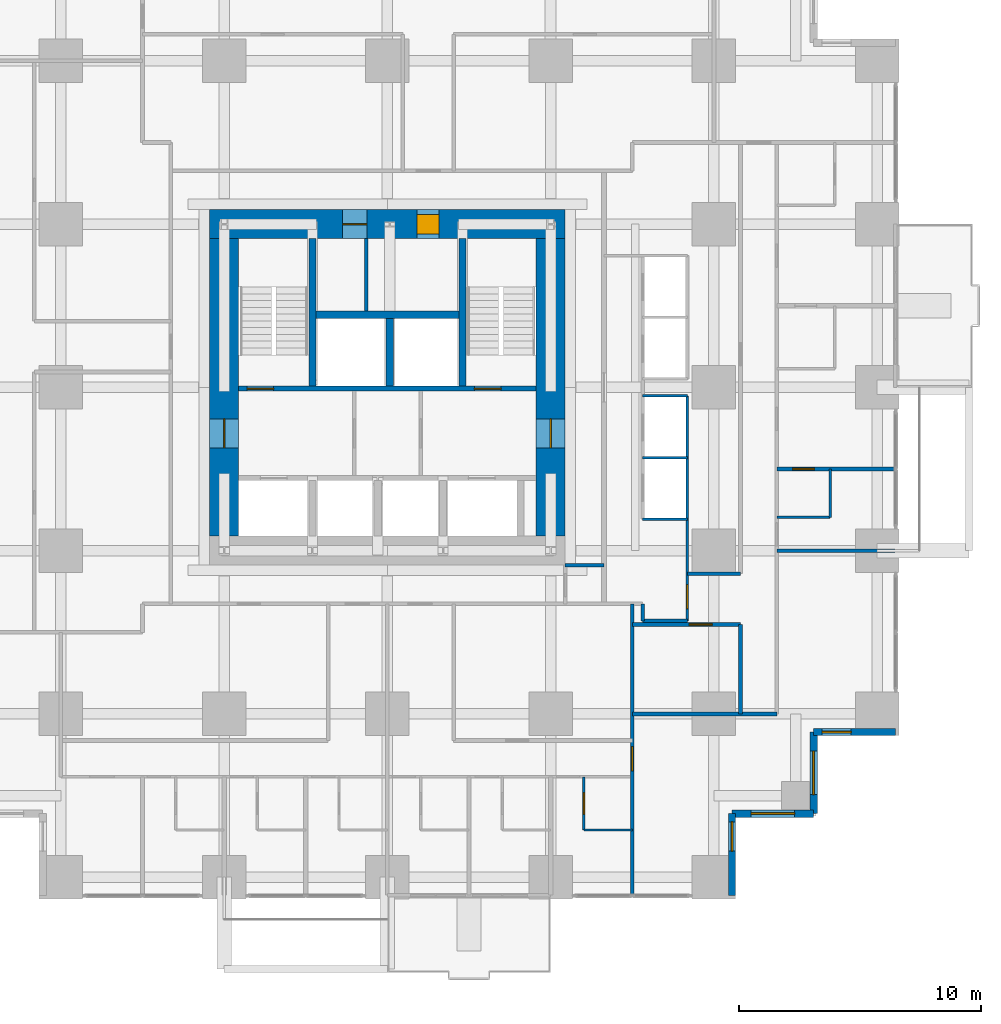
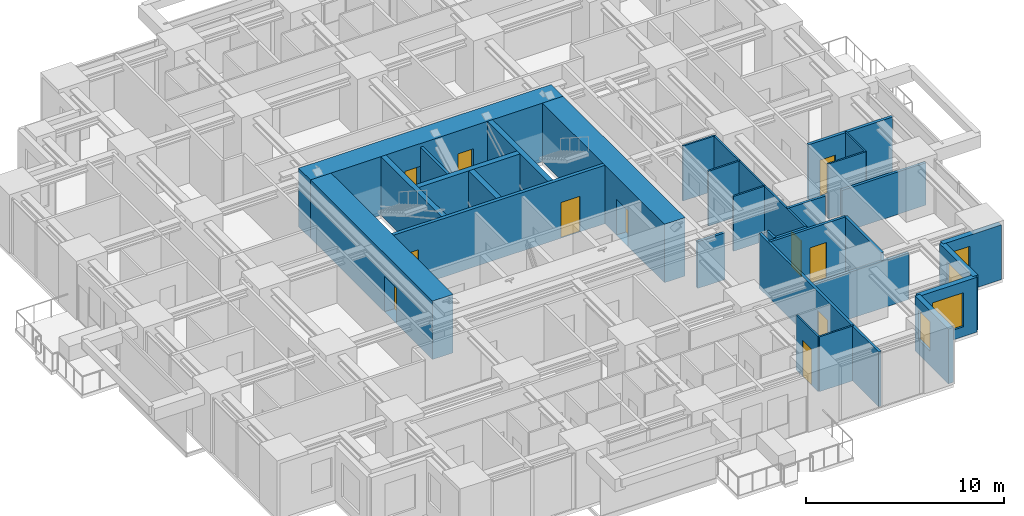
# One storey, part 10 of 14: 31 walls, 11 doors, 4 windows, 15 openings.
"""IFC4 building model written with IfcOpenShell, lengths in metres."""

from ifc_helpers import new_model, si_unit, direction, frame, frame_2d, origin, place, context, subcontext, project, spatial, rectangle, extrude, material, layer, layer_set, type_object, element, fill, save


model = new_model("IFC4")

# Units and contexts
model_context = context("Model", 3, precision=1e-05, world=origin(), true_north=direction((0.0, 1.0)))
body_context = subcontext(model_context, "Body", "Model", "MODEL_VIEW")
ifc_project = project(units=[si_unit("LENGTHUNIT", "METRE"), si_unit("AREAUNIT", "SQUARE_METRE"), si_unit("VOLUMEUNIT", "CUBIC_METRE"), si_unit("PLANEANGLEUNIT", "RADIAN"), si_unit("MASSUNIT", "GRAM", prefix="KILO")], contexts=[model_context])

# Site, building, storey
site_placement = place(None, origin())
site = spatial("IfcSite", under=ifc_project, at=site_placement, CompositionType="ELEMENT")
building_placement = place(site_placement, origin())
building = spatial("IfcBuilding", under=site, at=building_placement, Name="Nyansa Garden Tower", CompositionType="ELEMENT")
storey_placement = place(building_placement, frame((0.0, 0.0, 64.800048828125)))
storey = spatial("IfcBuildingStorey", under=building, at=storey_placement, Name="L17", CompositionType="ELEMENT", Elevation=64.800048828125)

# Wall, opening, door
ifc_material_1 = material(Name="Dense blockwork, plastered both sides, 55 dB", Category="masonry")
ifc_layer_1 = layer(ifc_material_1, 0.175048828125)
ifc_layer_set_1 = layer_set([ifc_layer_1], Name="Acoustic party wall PW175")
wall_type_1 = type_object("IfcWallType", Name="Acoustic party wall PW175", PredefinedType="PARTITIONING", material=ifc_layer_set_1)
wall_1_placement = place(storey_placement, frame((36.35009765625, 16.875, 0.0), z_axis=(0.0, 0.0, 1.0), x_axis=(1.0, 0.0, 0.0)))
wall_1 = element("IfcWall", 1, at=wall_1_placement, inside=storey, type_object=wall_type_1, Name="Party wall", PredefinedType="PARTITIONING", context=body_context, shape_type="SweptSolid", body=[
    extrude(rectangle(XDim=4.8837890625, YDim=0.175048828125, at=frame_2d((2.44189453125, 0.0))), origin(), (0.0, 0.0, 1.0), 3.375),
])
opening_1_placement = place(wall_1_placement, frame((0.64990234375, 0.0, 0.0)))
opening_1 = element("IfcOpeningElement", 2, at=opening_1_placement, cuts=wall_1, Name="Opening D02", PredefinedType="OPENING", context=body_context, shape_type="SweptSolid", body=[
    extrude(rectangle(XDim=0.89990234375, YDim=2.199951171875, at=frame_2d((0.449951171875, 1.10009765625))), frame((0.0, 0.097412109375, 0.0), z_axis=(0.0, -1.0, 0.0), x_axis=(1.0, 0.0, 0.0)), (0.0, 0.0, 1.0), 0.195068359375),
])
ifc_material_2 = material(Name="Timber flush door", Category="wood")
door_type_1 = type_object("IfcDoorType", Name="En-suite door D02 900x2200", OperationType="SINGLE_SWING_RIGHT", PredefinedType="DOOR", material=ifc_material_2)
door_1_placement = place(opening_1_placement, origin())
door_1 = element("IfcDoor", 3, at=door_1_placement, inside=storey, type_object=door_type_1, Name="Door L17-040", OperationType="SINGLE_SWING_RIGHT", OverallHeight=2.199951171875, OverallWidth=0.89990234375, PredefinedType="DOOR", context=body_context, shape_type="SweptSolid", body=[
    extrude(rectangle(XDim=0.89990234375, YDim=2.199951171875, at=frame_2d((0.449951171875, 1.10009765625))), frame((0.0, 0.02490234375, 0.0), z_axis=(0.0, -1.0, 0.0), x_axis=(1.0, 0.0, 0.0)), (0.0, 0.0, 1.0), 0.050048828125),
])
fill(opening_1, door_1)

# Wall, openings, doors
ifc_material_3 = material(Name="Concrete C70/85", Category="concrete")
ifc_layer_2 = layer(ifc_material_3, 0.199951171875)
ifc_layer_set_2 = layer_set([ifc_layer_2], Name="Core inner wall CI200")
wall_type_2 = type_object("IfcWallType", Name="Core inner wall CI200", PredefinedType="SHEAR", material=ifc_layer_set_2)
wall_2_placement = place(storey_placement, frame((14.10009765625, 20.199951171875, 0.0), z_axis=(0.0, 0.0, 1.0), x_axis=(1.0, 0.0, 0.0)))
wall_2 = element("IfcWall", 4, at=wall_2_placement, inside=storey, type_object=wall_type_2, Name="Core inner wall L17", PredefinedType="SHEAR", context=body_context, shape_type="SweptSolid", body=[
    extrude(rectangle(XDim=12.2998046875, YDim=0.199951171875, at=frame_2d((6.14990234375, 0.0))), origin(), (0.0, 0.0, 1.0), 3.599853515625),
])
opening_2_placement = place(wall_2_placement, frame((0.35009765625, 0.0, 0.0)))
opening_2 = element("IfcOpeningElement", 5, at=opening_2_placement, cuts=wall_2, Name="Opening D05", PredefinedType="OPENING", context=body_context, shape_type="SweptSolid", body=[
    extrude(rectangle(XDim=1.10009765625, YDim=2.199951171875, at=frame_2d((0.550048828125, 1.10009765625))), frame((0.0, 0.10986328125, 0.0), z_axis=(0.0, -1.0, 0.0), x_axis=(1.0, 0.0, 0.0)), (0.0, 0.0, 1.0), 0.219970703125),
])
opening_3_placement = place(wall_2_placement, frame((9.75, 0.0, 0.0)))
opening_3 = element("IfcOpeningElement", 6, at=opening_3_placement, cuts=wall_2, Name="Opening D05", PredefinedType="OPENING", context=body_context, shape_type="SweptSolid", body=[
    extrude(rectangle(XDim=1.10009765625, YDim=2.199951171875, at=frame_2d((0.550048828125, 1.10009765625))), frame((0.0, 0.10986328125, 0.0), z_axis=(0.0, -1.0, 0.0), x_axis=(1.0, 0.0, 0.0)), (0.0, 0.0, 1.0), 0.219970703125),
])
ifc_material_4 = material(Name="Steel door, 120 minute fire resisting", Category="steel")
door_type_2 = type_object("IfcDoorType", Name="Stair door D05 1100x2200", OperationType="SINGLE_SWING_LEFT", PredefinedType="DOOR", material=ifc_material_4)
door_2_placement = place(opening_2_placement, origin())
door_2 = element("IfcDoor", 7, at=door_2_placement, inside=storey, type_object=door_type_2, Name="Stair S1 door", OperationType="SINGLE_SWING_LEFT", OverallHeight=2.199951171875, OverallWidth=1.10009765625, PredefinedType="DOOR", context=body_context, shape_type="SweptSolid", body=[
    extrude(rectangle(XDim=1.10009765625, YDim=2.199951171875, at=frame_2d((0.550048828125, 1.10009765625))), frame((0.0, 0.02490234375, 0.0), z_axis=(0.0, -1.0, 0.0), x_axis=(1.0, 0.0, 0.0)), (0.0, 0.0, 1.0), 0.050048828125),
])
fill(opening_2, door_2)
door_3_placement = place(opening_3_placement, origin())
door_3 = element("IfcDoor", 8, at=door_3_placement, inside=storey, type_object=door_type_2, Name="Stair S2 door", OperationType="SINGLE_SWING_LEFT", OverallHeight=2.199951171875, OverallWidth=1.10009765625, PredefinedType="DOOR", context=body_context, shape_type="SweptSolid", body=[
    extrude(rectangle(XDim=1.10009765625, YDim=2.199951171875, at=frame_2d((0.550048828125, 1.10009765625))), frame((0.0, 0.02490234375, 0.0), z_axis=(0.0, -1.0, 0.0), x_axis=(1.0, 0.0, 0.0)), (0.0, 0.0, 1.0), 0.050048828125),
])
fill(opening_3, door_3)

# Walls
ifc_material_5 = material(Name="Concrete C70/85", Category="concrete")
ifc_layer_3 = layer(ifc_material_5, 0.300048828125)
ifc_layer_set_3 = layer_set([ifc_layer_3], Name="Core inner wall CI300")
wall_type_3 = type_object("IfcWallType", Name="Core inner wall CI300", PredefinedType="SHEAR", material=ifc_layer_set_3)
for number, where, z_axis, x_axis, name in (
    (9, (17.14990234375, 20.300048828125, 0.0), (0.0, 0.0, 1.0), (0.0, 1.0, 0.0), "Core inner wall L17"),
    (10, (23.35009765625, 20.300048828125, 0.0), (0.0, 0.0, 1.0), (0.0, 1.0, 0.0), "Core inner wall L17"),
):
    element("IfcWall", number, at=place(storey_placement, frame(where, z_axis=z_axis, x_axis=x_axis)), inside=storey, type_object=wall_type_3, Name=name, PredefinedType="SHEAR", context=body_context, shape_type="SweptSolid", body=[
        extrude(rectangle(XDim=6.099853515625, YDim=0.300048828125, at=frame_2d((3.0498046875, 0.0))), origin(), (0.0, 0.0, 1.0), 3.599853515625),
    ])
wall_3_placement = place(storey_placement, frame((20.35009765625, 20.300048828125, 0.0), z_axis=(0.0, 0.0, 1.0), x_axis=(0.0, 1.0, 0.0)))
element("IfcWall", 11, at=wall_3_placement, inside=storey, type_object=wall_type_3, Name="Core inner wall L17", PredefinedType="SHEAR", context=body_context, shape_type="SweptSolid", body=[
    extrude(rectangle(XDim=2.800048828125, YDim=0.300048828125, at=frame_2d((1.39990234375, 0.0))), origin(), (0.0, 0.0, 1.0), 3.599853515625),
])
wall_4_placement = place(storey_placement, frame((17.300048828125, 23.25, 0.0), z_axis=(0.0, 0.0, 1.0), x_axis=(1.0, 0.0, 0.0)))
element("IfcWall", 12, at=wall_4_placement, inside=storey, type_object=wall_type_3, Name="Core inner wall L17", PredefinedType="SHEAR", context=body_context, shape_type="SweptSolid", body=[
    extrude(rectangle(XDim=5.89990234375, YDim=0.300048828125, at=frame_2d((2.949951171875, 0.0))), origin(), (0.0, 0.0, 1.0), 3.599853515625),
])

# Wall, opening, door
ifc_material_6 = material(Name="Concrete C80/95", Category="concrete")
ifc_layer_4 = layer(ifc_material_6, 1.199951171875)
ifc_layer_set_4 = layer_set([ifc_layer_4], Name="Core wall CW1200")
wall_type_4 = type_object("IfcWallType", Name="Core wall CW1200", PredefinedType="SHEAR", material=ifc_layer_set_4)
wall_5_placement = place(storey_placement, frame((27.0, 14.10009765625, 0.0), z_axis=(0.0, 0.0, 1.0), x_axis=(0.0, 1.0, 0.0)))
wall_5 = element("IfcWall", 13, at=wall_5_placement, inside=storey, type_object=wall_type_4, Name="Core wall E L17", PredefinedType="SHEAR", context=body_context, shape_type="SweptSolid", body=[
    extrude(rectangle(XDim=12.2998046875, YDim=1.199951171875, at=frame_2d((6.14990234375, 0.0))), origin(), (0.0, 0.0, 1.0), 3.599853515625),
])
opening_4_placement = place(wall_5_placement, frame((3.64990234375, 0.0, 0.0)))
opening_4 = element("IfcOpeningElement", 14, at=opening_4_placement, cuts=wall_5, Name="Opening D06", PredefinedType="OPENING", context=body_context, shape_type="SweptSolid", body=[
    extrude(rectangle(XDim=1.199951171875, YDim=2.199951171875, at=frame_2d((0.60009765625, 1.10009765625))), frame((0.0, 0.60986328125, 0.0), z_axis=(0.0, -1.0, 0.0), x_axis=(1.0, 0.0, 0.0)), (0.0, 0.0, 1.0), 1.219970703125),
])
ifc_material_7 = material(Name="Steel door, 120 minute fire resisting", Category="steel")
door_type_3 = type_object("IfcDoorType", Name="Lobby door D06 1200x2200", OperationType="DOUBLE_DOOR_SINGLE_SWING", PredefinedType="DOOR", material=ifc_material_7)
door_4_placement = place(opening_4_placement, origin())
door_4 = element("IfcDoor", 15, at=door_4_placement, inside=storey, type_object=door_type_3, Name="Lift lobby door east", OperationType="DOUBLE_DOOR_SINGLE_SWING", OverallHeight=2.199951171875, OverallWidth=1.199951171875, PredefinedType="DOOR", context=body_context, shape_type="SweptSolid", body=[
    extrude(rectangle(XDim=1.199951171875, YDim=2.199951171875, at=frame_2d((0.60009765625, 1.10009765625))), frame((0.0, 0.02490234375, 0.0), z_axis=(0.0, -1.0, 0.0), x_axis=(1.0, 0.0, 0.0)), (0.0, 0.0, 1.0), 0.050048828125),
])
fill(opening_4, door_4)

# Wall, openings, doors
wall_6_placement = place(storey_placement, frame((27.60009765625, 27.0, 0.0), z_axis=(0.0, 0.0, 1.0), x_axis=(-1.0, 0.0, 0.0)))
wall_6 = element("IfcWall", 16, at=wall_6_placement, inside=storey, type_object=wall_type_4, Name="Core wall N L17", PredefinedType="SHEAR", context=body_context, shape_type="SweptSolid", body=[
    extrude(rectangle(XDim=14.7001953125, YDim=1.199951171875, at=frame_2d((7.35009765625, 0.0))), origin(), (0.0, 0.0, 1.0), 3.599853515625),
])
opening_5_placement = place(wall_6_placement, frame((5.22509765625, 0.0, 0.0)))
opening_5 = element("IfcOpeningElement", 17, at=opening_5_placement, cuts=wall_6, Name="Opening D15", PredefinedType="OPENING", context=body_context, shape_type="SweptSolid", body=[
    extrude(rectangle(XDim=0.89990234375, YDim=2.199951171875, at=frame_2d((0.449951171875, 1.10009765625))), frame((0.0, 0.60986328125, 0.0), z_axis=(0.0, -1.0, 0.0), x_axis=(1.0, 0.0, 0.0)), (0.0, 0.0, 1.0), 1.219970703125),
])
opening_6_placement = place(wall_6_placement, frame((8.199951171875, 0.0, 0.0)))
opening_6 = element("IfcOpeningElement", 18, at=opening_6_placement, cuts=wall_6, Name="Opening D07", PredefinedType="OPENING", context=body_context, shape_type="SweptSolid", body=[
    extrude(rectangle(XDim=1.0, YDim=2.199951171875, at=frame_2d((0.5, 1.10009765625))), frame((0.0, 0.60986328125, 0.0), z_axis=(0.0, -1.0, 0.0), x_axis=(1.0, 0.0, 0.0)), (0.0, 0.0, 1.0), 1.219970703125),
])
ifc_material_8 = material(Name="Timber flush door, 60 minute fire resisting, self-closing", Category="wood")
door_type_4 = type_object("IfcDoorType", Name="Core room door D15 900x2200", OperationType="SINGLE_SWING_LEFT", PredefinedType="DOOR", material=ifc_material_8)
door_5_placement = place(opening_5_placement, origin())
door_5 = element("IfcDoor", 19, at=door_5_placement, inside=storey, type_object=door_type_4, Name="Core room door", OperationType="SINGLE_SWING_LEFT", OverallHeight=2.199951171875, OverallWidth=0.89990234375, PredefinedType="DOOR", context=body_context, shape_type="SweptSolid", body=[
    extrude(rectangle(XDim=0.89990234375, YDim=2.199951171875, at=frame_2d((0.449951171875, 1.10009765625))), frame((0.0, 0.39990234375, 0.0), z_axis=(0.0, -1.0, 0.0), x_axis=(1.0, 0.0, 0.0)), (0.0, 0.0, 1.0), 0.800048828125),
])
fill(opening_5, door_5)
ifc_material_9 = material(Name="Steel door, 120 minute fire resisting", Category="steel")
door_type_5 = type_object("IfcDoorType", Name="Riser door D07 1000x2200", OperationType="SINGLE_SWING_LEFT", PredefinedType="DOOR", material=ifc_material_9)
door_6_placement = place(opening_6_placement, origin())
door_6 = element("IfcDoor", 20, at=door_6_placement, inside=storey, type_object=door_type_5, Name="Riser and refuse room door", OperationType="SINGLE_SWING_LEFT", OverallHeight=2.199951171875, OverallWidth=1.0, PredefinedType="DOOR", context=body_context, shape_type="SweptSolid", body=[
    extrude(rectangle(XDim=1.0, YDim=2.199951171875, at=frame_2d((0.5, 1.10009765625))), frame((0.0, 0.02490234375, 0.0), z_axis=(0.0, -1.0, 0.0), x_axis=(1.0, 0.0, 0.0)), (0.0, 0.0, 1.0), 0.050048828125),
])
fill(opening_6, door_6)

# Wall, opening, door
wall_7_placement = place(storey_placement, frame((13.5, 26.39990234375, 0.0), z_axis=(0.0, 0.0, 1.0), x_axis=(0.0, -1.0, 0.0)))
wall_7 = element("IfcWall", 21, at=wall_7_placement, inside=storey, type_object=wall_type_4, Name="Core wall W L17", PredefinedType="SHEAR", context=body_context, shape_type="SweptSolid", body=[
    extrude(rectangle(XDim=12.2998046875, YDim=1.199951171875, at=frame_2d((6.14990234375, 0.0))), origin(), (0.0, 0.0, 1.0), 3.599853515625),
])
opening_7_placement = place(wall_7_placement, frame((7.449951171875, 0.0, 0.0)))
opening_7 = element("IfcOpeningElement", 22, at=opening_7_placement, cuts=wall_7, Name="Opening D06", PredefinedType="OPENING", context=body_context, shape_type="SweptSolid", body=[
    extrude(rectangle(XDim=1.199951171875, YDim=2.199951171875, at=frame_2d((0.60009765625, 1.10009765625))), frame((0.0, 0.60986328125, 0.0), z_axis=(0.0, -1.0, 0.0), x_axis=(1.0, 0.0, 0.0)), (0.0, 0.0, 1.0), 1.219970703125),
])
door_7_placement = place(opening_7_placement, origin())
door_7 = element("IfcDoor", 23, at=door_7_placement, inside=storey, type_object=door_type_3, Name="Lift lobby door west", OperationType="DOUBLE_DOOR_SINGLE_SWING", OverallHeight=2.199951171875, OverallWidth=1.199951171875, PredefinedType="DOOR", context=body_context, shape_type="SweptSolid", body=[
    extrude(rectangle(XDim=1.199951171875, YDim=2.199951171875, at=frame_2d((0.60009765625, 1.10009765625))), frame((0.0, 0.02490234375, 0.0), z_axis=(0.0, -1.0, 0.0), x_axis=(1.0, 0.0, 0.0)), (0.0, 0.0, 1.0), 0.050048828125),
])
fill(opening_7, door_7)

# Walls
ifc_material_10 = material(Name="Steel-stud shaft wall, two layers fire-rated board, EI 120", Category="steel")
ifc_layer_5 = layer(ifc_material_10, 0.10009765625)
ifc_layer_set_5 = layer_set([ifc_layer_5], Name="Lift shaft wall SW100")
wall_type_5 = type_object("IfcWallType", Name="Lift shaft wall SW100", PredefinedType="SHEAR", material=ifc_layer_set_5)
for number, where, z_axis, x_axis, name in (
    (24, (30.800048828125, 14.800048828125, 0.0), (0.0, 0.0, 1.0), (1.0, 0.0, 0.0), "Lift shaft wall"),
    (25, (30.800048828125, 17.35009765625, 0.0), (0.0, 0.0, 1.0), (1.0, 0.0, 0.0), "Lift shaft wall"),
    (26, (30.800048828125, 19.89990234375, 0.0), (0.0, 0.0, 1.0), (1.0, 0.0, 0.0), "Lift shaft wall"),
):
    element("IfcWall", number, at=place(storey_placement, frame(where, z_axis=z_axis, x_axis=x_axis)), inside=storey, type_object=wall_type_5, Name=name, PredefinedType="SHEAR", context=body_context, shape_type="SweptSolid", body=[
        extrude(rectangle(XDim=1.849853515625, YDim=0.10009765625, at=frame_2d((0.9248046875, 0.0))), origin(), (0.0, 0.0, 1.0), 3.375),
    ])

# Wall, opening, door
wall_8_placement = place(storey_placement, frame((32.64990234375, 10.60009765625, 0.0), z_axis=(0.0, 0.0, 1.0), x_axis=(0.0, 1.0, 0.0)))
wall_8 = element("IfcWall", 27, at=wall_8_placement, inside=storey, type_object=wall_type_5, Name="Lift shaft wall", PredefinedType="SHEAR", context=body_context, shape_type="SweptSolid", body=[
    extrude(rectangle(XDim=9.2998046875, YDim=0.10009765625, at=frame_2d((4.64990234375, 0.0))), origin(), (0.0, 0.0, 1.0), 3.375),
])
opening_8_placement = place(wall_8_placement, frame((0.5, 0.0, 0.0)))
opening_8 = element("IfcOpeningElement", 28, at=opening_8_placement, cuts=wall_8, Name="Opening D03", PredefinedType="OPENING", context=body_context, shape_type="SweptSolid", body=[
    extrude(rectangle(XDim=1.0, YDim=2.199951171875, at=frame_2d((0.5, 1.10009765625))), frame((0.0, 0.06005859375, 0.0), z_axis=(0.0, -1.0, 0.0), x_axis=(1.0, 0.0, 0.0)), (0.0, 0.0, 1.0), 0.1201171875),
])
ifc_material_11 = material(Name="Timber flush door, 60 minute fire resisting", Category="wood")
door_type_6 = type_object("IfcDoorType", Name="Cluster entrance door D03 1000x2200", OperationType="SINGLE_SWING_LEFT", PredefinedType="DOOR", material=ifc_material_11)
door_8_placement = place(opening_8_placement, origin())
door_8 = element("IfcDoor", 29, at=door_8_placement, inside=storey, type_object=door_type_6, Name="Door L17-041", OperationType="SINGLE_SWING_LEFT", OverallHeight=2.199951171875, OverallWidth=1.0, PredefinedType="DOOR", context=body_context, shape_type="SweptSolid", body=[
    extrude(rectangle(XDim=1.0, YDim=2.199951171875, at=frame_2d((0.5, 1.10009765625))), frame((0.0, 0.02490234375, 0.0), z_axis=(0.0, -1.0, 0.0), x_axis=(1.0, 0.0, 0.0)), (0.0, 0.0, 1.0), 0.050048828125),
])
fill(opening_8, door_8)

# Walls
ifc_material_12 = material(Name="Blockwork, plastered both sides", Category="masonry")
ifc_layer_6 = layer(ifc_material_12, 0.14990234375)
ifc_layer_set_6 = layer_set([ifc_layer_6], Name="Partition PW150")
wall_type_6 = type_object("IfcWallType", Name="Partition PW150", PredefinedType="PARTITIONING", material=ifc_layer_set_6)
wall_9_placement = place(storey_placement, frame((19.375, 23.39990234375, 0.0), z_axis=(0.0, 0.0, 1.0), x_axis=(0.0, 1.0, 0.0)))
element("IfcWall", 30, at=wall_9_placement, inside=storey, type_object=wall_type_6, Name="Partition", PredefinedType="PARTITIONING", context=body_context, shape_type="SweptSolid", body=[
    extrude(rectangle(XDim=3.0, YDim=0.14990234375, at=frame_2d((1.5, 0.0))), origin(), (0.0, 0.0, 1.0), 3.375),
])
wall_10_placement = place(storey_placement, frame((27.60009765625, 12.89990234375, 0.0), z_axis=(0.0, 0.0, 1.0), x_axis=(1.0, 0.0, 0.0)))
element("IfcWall", 31, at=wall_10_placement, inside=storey, type_object=wall_type_6, Name="Partition", PredefinedType="PARTITIONING", context=body_context, shape_type="SweptSolid", body=[
    extrude(rectangle(XDim=1.599853515625, YDim=0.14990234375, at=frame_2d((0.7998046875, 0.0))), origin(), (0.0, 0.0, 1.0), 2.876953125),
])

# Wall, opening, door
wall_11_placement = place(storey_placement, frame((30.375, -0.73388671875, 0.0), z_axis=(0.0, 0.0, 1.0), x_axis=(0.0, 1.0, 0.0)))
wall_11 = element("IfcWall", 32, at=wall_11_placement, inside=storey, type_object=wall_type_6, Name="Partition", PredefinedType="PARTITIONING", context=body_context, shape_type="SweptSolid", body=[
    extrude(rectangle(XDim=12.033935546875, YDim=0.14990234375, at=frame_2d((6.01708984375, 0.0))), origin(), (0.0, 0.0, 1.0), 3.375),
])
opening_9_placement = place(wall_11_placement, frame((5.134033203125, 0.0, 0.0)))
opening_9 = element("IfcOpeningElement", 33, at=opening_9_placement, cuts=wall_11, Name="Opening D03", PredefinedType="OPENING", context=body_context, shape_type="SweptSolid", body=[
    extrude(rectangle(XDim=1.0, YDim=2.199951171875, at=frame_2d((0.5, 1.10009765625))), frame((0.0, 0.0849609375, 0.0), z_axis=(0.0, -1.0, 0.0), x_axis=(1.0, 0.0, 0.0)), (0.0, 0.0, 1.0), 0.169921875),
])
door_9_placement = place(opening_9_placement, origin())
door_9 = element("IfcDoor", 34, at=door_9_placement, inside=storey, type_object=door_type_6, Name="Door L17-034", OperationType="SINGLE_SWING_LEFT", OverallHeight=2.199951171875, OverallWidth=1.0, PredefinedType="DOOR", context=body_context, shape_type="SweptSolid", body=[
    extrude(rectangle(XDim=1.0, YDim=2.199951171875, at=frame_2d((0.5, 1.10009765625))), frame((0.0, 0.02490234375, 0.0), z_axis=(0.0, -1.0, 0.0), x_axis=(1.0, 0.0, 0.0)), (0.0, 0.0, 1.0), 0.050048828125),
])
fill(opening_9, door_9)

# Wall
wall_12_placement = place(storey_placement, frame((30.375, 6.75, 0.0), z_axis=(0.0, 0.0, 1.0), x_axis=(1.0, 0.0, 0.0)))
element("IfcWall", 35, at=wall_12_placement, inside=storey, type_object=wall_type_6, Name="Partition", PredefinedType="PARTITIONING", context=body_context, shape_type="SweptSolid", body=[
    extrude(rectangle(XDim=5.97509765625, YDim=0.14990234375, at=frame_2d((2.987548828125, 0.0))), origin(), (0.0, 0.0, 1.0), 2.876953125),
])

# Wall, opening, door
wall_13_placement = place(storey_placement, frame((30.375, 10.449951171875, 0.0), z_axis=(0.0, 0.0, 1.0), x_axis=(1.0, 0.0, 0.0)))
wall_13 = element("IfcWall", 36, at=wall_13_placement, inside=storey, type_object=wall_type_6, Name="Partition", PredefinedType="PARTITIONING", context=body_context, shape_type="SweptSolid", body=[
    extrude(rectangle(XDim=4.47509765625, YDim=0.14990234375, at=frame_2d((2.237548828125, 0.0))), origin(), (0.0, 0.0, 1.0), 3.375),
])
opening_10_placement = place(wall_13_placement, frame((2.35009765625, 0.0, 0.0)))
opening_10 = element("IfcOpeningElement", 37, at=opening_10_placement, cuts=wall_13, Name="Opening D01", PredefinedType="OPENING", context=body_context, shape_type="SweptSolid", body=[
    extrude(rectangle(XDim=0.949951171875, YDim=2.199951171875, at=frame_2d((0.47509765625, 1.10009765625))), frame((0.0, 0.0849609375, 0.0), z_axis=(0.0, -1.0, 0.0), x_axis=(1.0, 0.0, 0.0)), (0.0, 0.0, 1.0), 0.169921875),
])
ifc_material_13 = material(Name="Timber flush door, 30 minute fire resisting", Category="wood")
door_type_7 = type_object("IfcDoorType", Name="Bedroom door D01 950x2200", OperationType="SINGLE_SWING_LEFT", PredefinedType="DOOR", material=ifc_material_13)
door_10_placement = place(opening_10_placement, origin())
door_10 = element("IfcDoor", 38, at=door_10_placement, inside=storey, type_object=door_type_7, Name="Door L17-043", OperationType="SINGLE_SWING_LEFT", OverallHeight=2.199951171875, OverallWidth=0.949951171875, PredefinedType="DOOR", context=body_context, shape_type="SweptSolid", body=[
    extrude(rectangle(XDim=0.949951171875, YDim=2.199951171875, at=frame_2d((0.47509765625, 1.10009765625))), frame((0.0, 0.02490234375, 0.0), z_axis=(0.0, -1.0, 0.0), x_axis=(1.0, 0.0, 0.0)), (0.0, 0.0, 1.0), 0.050048828125),
])
fill(opening_10, door_10)

# Walls
wall_14_placement = place(storey_placement, frame((30.800048828125, 10.60009765625, 0.0), z_axis=(0.0, 0.0, 1.0), x_axis=(0.0, 1.0, 0.0)))
element("IfcWall", 39, at=wall_14_placement, inside=storey, type_object=wall_type_6, Name="Partition", PredefinedType="PARTITIONING", context=body_context, shape_type="SweptSolid", body=[
    extrude(rectangle(XDim=0.699951171875, YDim=0.14990234375, at=frame_2d((0.35009765625, 0.0))), origin(), (0.0, 0.0, 1.0), 3.375),
])
wall_15_placement = place(storey_placement, frame((30.800048828125, 10.60009765625, 0.0), z_axis=(0.0, 0.0, 1.0), x_axis=(1.0, 0.0, 0.0)))
element("IfcWall", 40, at=wall_15_placement, inside=storey, type_object=wall_type_6, Name="Partition", PredefinedType="PARTITIONING", context=body_context, shape_type="SweptSolid", body=[
    extrude(rectangle(XDim=1.849853515625, YDim=0.14990234375, at=frame_2d((0.9248046875, 0.0))), origin(), (0.0, 0.0, 1.0), 3.375),
])
wall_16_placement = place(storey_placement, frame((32.64990234375, 12.550048828125, 0.0), z_axis=(0.0, 0.0, 1.0), x_axis=(1.0, 0.0, 0.0)))
element("IfcWall", 41, at=wall_16_placement, inside=storey, type_object=wall_type_6, Name="Partition", PredefinedType="PARTITIONING", context=body_context, shape_type="SweptSolid", body=[
    extrude(rectangle(XDim=2.2001953125, YDim=0.14990234375, at=frame_2d((1.10009765625, 0.0))), origin(), (0.0, 0.0, 1.0), 3.375),
])
wall_17_placement = place(storey_placement, frame((34.85009765625, 6.75, 0.0), z_axis=(0.0, 0.0, 1.0), x_axis=(0.0, 1.0, 0.0)))
element("IfcWall", 42, at=wall_17_placement, inside=storey, type_object=wall_type_6, Name="Partition", PredefinedType="PARTITIONING", context=body_context, shape_type="SweptSolid", body=[
    extrude(rectangle(XDim=3.699951171875, YDim=0.14990234375, at=frame_2d((1.85009765625, 0.0))), origin(), (0.0, 0.0, 1.0), 3.375),
])
wall_18_placement = place(storey_placement, frame((36.35009765625, 13.5, 0.0), z_axis=(0.0, 0.0, 1.0), x_axis=(1.0, 0.0, 0.0)))
element("IfcWall", 43, at=wall_18_placement, inside=storey, type_object=wall_type_6, Name="Partition", PredefinedType="PARTITIONING", context=body_context, shape_type="SweptSolid", body=[
    extrude(rectangle(XDim=4.8837890625, YDim=0.14990234375, at=frame_2d((2.44189453125, 0.0))), origin(), (0.0, 0.0, 1.0), 2.60986328125),
])

# Wall, opening, window
ifc_material_14 = material(Name="Turquoise glazed tile on concrete blockwork", Category="masonry")
ifc_layer_7 = layer(ifc_material_14, 0.300048828125)
ifc_layer_set_7 = layer_set([ifc_layer_7], Name="Tiled corner wall TW300")
wall_type_7 = type_object("IfcWallType", Name="Tiled corner wall TW300", PredefinedType="SOLIDWALL", material=ifc_layer_set_7)
wall_19_placement = place(storey_placement, frame((34.5, -0.75, 0.0), z_axis=(0.0, 0.0, 1.0), x_axis=(0.0, 1.0, 0.0)))
wall_19 = element("IfcWall", 44, at=wall_19_placement, inside=storey, type_object=wall_type_7, Name="Tiled corner wall L17", PredefinedType="SOLIDWALL", context=body_context, shape_type="SweptSolid", body=[
    extrude(rectangle(XDim=3.375, YDim=0.300048828125, at=frame_2d((1.6875, 0.0))), origin(), (0.0, 0.0, 1.0), 3.375),
])
opening_11_placement = place(wall_19_placement, frame((1.83251953125, 0.0, 0.89990234375)))
opening_11 = element("IfcOpeningElement", 45, at=opening_11_placement, cuts=wall_19, Name="Opening W4", PredefinedType="OPENING", context=body_context, shape_type="SweptSolid", body=[
    extrude(rectangle(XDim=1.199951171875, YDim=1.800048828125, at=frame_2d((0.60009765625, 0.89990234375))), frame((0.0, 0.159912109375, 0.0), z_axis=(0.0, -1.0, 0.0), x_axis=(1.0, 0.0, 0.0)), (0.0, 0.0, 1.0), 0.320068359375),
])
ifc_material_15 = material(Name="Black aluminium frame, dark tinted double glazing", Category="aluminium")
window_type_1 = type_object("IfcWindowType", Name="Window W4 1200x1800", PartitioningType="SINGLE_PANEL", PredefinedType="WINDOW", material=ifc_material_15)
window_1_placement = place(opening_11_placement, origin())
window_1 = element("IfcWindow", 46, at=window_1_placement, inside=storey, type_object=window_type_1, Name="Corner window L17", OverallHeight=1.800048828125, OverallWidth=1.199951171875, PartitioningType="SINGLE_PANEL", PredefinedType="WINDOW", context=body_context, shape_type="SweptSolid", body=[
    extrude(rectangle(XDim=1.199951171875, YDim=1.800048828125, at=frame_2d((0.60009765625, 0.89990234375))), frame((0.0, 0.030029296875, 0.0), z_axis=(0.0, -1.0, 0.0), x_axis=(1.0, 0.0, 0.0)), (0.0, 0.0, 1.0), 0.06005859375),
])
fill(opening_11, window_1)

wall_20_placement = place(storey_placement, frame((34.5, 2.625, 0.0), z_axis=(0.0, 0.0, 1.0), x_axis=(1.0, 0.0, 0.0)))
wall_20 = element("IfcWall", 47, at=wall_20_placement, inside=storey, type_object=wall_type_7, Name="Tiled corner wall L17", PredefinedType="SOLIDWALL", context=body_context, shape_type="SweptSolid", body=[
    extrude(rectangle(XDim=3.375, YDim=0.300048828125, at=frame_2d((1.6875, 0.0))), origin(), (0.0, 0.0, 1.0), 3.375),
])
opening_12_placement = place(wall_20_placement, frame((0.78759765625, 0.0, 0.60009765625)))
opening_12 = element("IfcOpeningElement", 48, at=opening_12_placement, cuts=wall_20, Name="Opening W2", PredefinedType="OPENING", context=body_context, shape_type="SweptSolid", body=[
    extrude(rectangle(XDim=1.800048828125, YDim=2.10009765625, at=frame_2d((0.89990234375, 1.050048828125))), frame((0.0, 0.159912109375, 0.0), z_axis=(0.0, -1.0, 0.0), x_axis=(1.0, 0.0, 0.0)), (0.0, 0.0, 1.0), 0.320068359375),
])
ifc_material_16 = material(Name="Black aluminium frame, dark tinted double glazing", Category="aluminium")
window_type_2 = type_object("IfcWindowType", Name="Window W2 1800x2100", PartitioningType="SINGLE_PANEL", PredefinedType="WINDOW", material=ifc_material_16)
window_2_placement = place(opening_12_placement, origin())
window_2 = element("IfcWindow", 49, at=window_2_placement, inside=storey, type_object=window_type_2, Name="Corner window L17", OverallHeight=2.10009765625, OverallWidth=1.800048828125, PartitioningType="SINGLE_PANEL", PredefinedType="WINDOW", context=body_context, shape_type="SweptSolid", body=[
    extrude(rectangle(XDim=1.800048828125, YDim=2.10009765625, at=frame_2d((0.89990234375, 1.050048828125))), frame((0.0, 0.030029296875, 0.0), z_axis=(0.0, -1.0, 0.0), x_axis=(1.0, 0.0, 0.0)), (0.0, 0.0, 1.0), 0.06005859375),
])
fill(opening_12, window_2)

wall_21_placement = place(storey_placement, frame((37.875, 2.625, 0.0), z_axis=(0.0, 0.0, 1.0), x_axis=(0.0, 1.0, 0.0)))
wall_21 = element("IfcWall", 50, at=wall_21_placement, inside=storey, type_object=wall_type_7, Name="Tiled corner wall L17", PredefinedType="SOLIDWALL", context=body_context, shape_type="SweptSolid", body=[
    extrude(rectangle(XDim=3.375, YDim=0.300048828125, at=frame_2d((1.6875, 0.0))), origin(), (0.0, 0.0, 1.0), 3.375),
])
opening_13_placement = place(wall_21_placement, frame((0.78759765625, 0.0, 0.60009765625)))
opening_13 = element("IfcOpeningElement", 51, at=opening_13_placement, cuts=wall_21, Name="Opening W2", PredefinedType="OPENING", context=body_context, shape_type="SweptSolid", body=[
    extrude(rectangle(XDim=1.800048828125, YDim=2.10009765625, at=frame_2d((0.89990234375, 1.050048828125))), frame((0.0, 0.159912109375, 0.0), z_axis=(0.0, -1.0, 0.0), x_axis=(1.0, 0.0, 0.0)), (0.0, 0.0, 1.0), 0.320068359375),
])
window_3_placement = place(opening_13_placement, origin())
window_3 = element("IfcWindow", 52, at=window_3_placement, inside=storey, type_object=window_type_2, Name="Corner window L17", OverallHeight=2.10009765625, OverallWidth=1.800048828125, PartitioningType="SINGLE_PANEL", PredefinedType="WINDOW", context=body_context, shape_type="SweptSolid", body=[
    extrude(rectangle(XDim=1.800048828125, YDim=2.10009765625, at=frame_2d((0.89990234375, 1.050048828125))), frame((0.0, 0.030029296875, 0.0), z_axis=(0.0, -1.0, 0.0), x_axis=(1.0, 0.0, 0.0)), (0.0, 0.0, 1.0), 0.06005859375),
])
fill(opening_13, window_3)

wall_22_placement = place(storey_placement, frame((37.875, 6.0, 0.0), z_axis=(0.0, 0.0, 1.0), x_axis=(1.0, 0.0, 0.0)))
wall_22 = element("IfcWall", 53, at=wall_22_placement, inside=storey, type_object=wall_type_7, Name="Tiled corner wall L17", PredefinedType="SOLIDWALL", context=body_context, shape_type="SweptSolid", body=[
    extrude(rectangle(XDim=3.375, YDim=0.300048828125, at=frame_2d((1.6875, 0.0))), origin(), (0.0, 0.0, 1.0), 3.375),
])
opening_14_placement = place(wall_22_placement, frame((0.342529296875, 0.0, 0.89990234375)))
opening_14 = element("IfcOpeningElement", 54, at=opening_14_placement, cuts=wall_22, Name="Opening W4", PredefinedType="OPENING", context=body_context, shape_type="SweptSolid", body=[
    extrude(rectangle(XDim=1.199951171875, YDim=1.800048828125, at=frame_2d((0.60009765625, 0.89990234375))), frame((0.0, 0.159912109375, 0.0), z_axis=(0.0, -1.0, 0.0), x_axis=(1.0, 0.0, 0.0)), (0.0, 0.0, 1.0), 0.320068359375),
])
window_4_placement = place(opening_14_placement, origin())
window_4 = element("IfcWindow", 55, at=window_4_placement, inside=storey, type_object=window_type_1, Name="Corner window L17", OverallHeight=1.800048828125, OverallWidth=1.199951171875, PartitioningType="SINGLE_PANEL", PredefinedType="WINDOW", context=body_context, shape_type="SweptSolid", body=[
    extrude(rectangle(XDim=1.199951171875, YDim=1.800048828125, at=frame_2d((0.60009765625, 0.89990234375))), frame((0.0, 0.030029296875, 0.0), z_axis=(0.0, -1.0, 0.0), x_axis=(1.0, 0.0, 0.0)), (0.0, 0.0, 1.0), 0.06005859375),
])
fill(opening_14, window_4)

# Wall, opening, door
ifc_material_17 = material(Name="Moisture resistant board on steel studs, tiled", Category="steel")
ifc_layer_8 = layer(ifc_material_17, 0.10009765625)
ifc_layer_set_8 = layer_set([ifc_layer_8], Name="Wet wall PW100")
wall_type_8 = type_object("IfcWallType", Name="Wet wall PW100", PredefinedType="PARTITIONING", material=ifc_layer_set_8)
wall_23_placement = place(storey_placement, frame((28.375, 1.949951171875, 0.0), z_axis=(0.0, 0.0, 1.0), x_axis=(0.0, 1.0, 0.0)))
wall_23 = element("IfcWall", 56, at=wall_23_placement, inside=storey, type_object=wall_type_8, Name="Wet wall", PredefinedType="PARTITIONING", context=body_context, shape_type="SweptSolid", body=[
    extrude(rectangle(XDim=2.199951171875, YDim=0.10009765625, at=frame_2d((1.10009765625, 0.0))), origin(), (0.0, 0.0, 1.0), 3.375),
])
opening_15_placement = place(wall_23_placement, frame((0.64990234375, 0.0, 0.0)))
opening_15 = element("IfcOpeningElement", 57, at=opening_15_placement, cuts=wall_23, Name="Opening D02", PredefinedType="OPENING", context=body_context, shape_type="SweptSolid", body=[
    extrude(rectangle(XDim=0.89990234375, YDim=2.199951171875, at=frame_2d((0.449951171875, 1.10009765625))), frame((0.0, 0.06005859375, 0.0), z_axis=(0.0, -1.0, 0.0), x_axis=(1.0, 0.0, 0.0)), (0.0, 0.0, 1.0), 0.1201171875),
])
door_11_placement = place(opening_15_placement, origin())
door_11 = element("IfcDoor", 58, at=door_11_placement, inside=storey, type_object=door_type_1, Name="Door L17-030", OperationType="SINGLE_SWING_RIGHT", OverallHeight=2.199951171875, OverallWidth=0.89990234375, PredefinedType="DOOR", context=body_context, shape_type="SweptSolid", body=[
    extrude(rectangle(XDim=0.89990234375, YDim=2.199951171875, at=frame_2d((0.449951171875, 1.10009765625))), frame((0.0, 0.02490234375, 0.0), z_axis=(0.0, -1.0, 0.0), x_axis=(1.0, 0.0, 0.0)), (0.0, 0.0, 1.0), 0.050048828125),
])
fill(opening_15, door_11)

# Walls
wall_24_placement = place(storey_placement, frame((28.375, 1.949951171875, 0.0), z_axis=(0.0, 0.0, 1.0), x_axis=(1.0, 0.0, 0.0)))
element("IfcWall", 59, at=wall_24_placement, inside=storey, type_object=wall_type_8, Name="Wet wall", PredefinedType="PARTITIONING", context=body_context, shape_type="SweptSolid", body=[
    extrude(rectangle(XDim=2.0, YDim=0.10009765625, at=frame_2d((1.0, 0.0))), origin(), (0.0, 0.0, 1.0), 3.375),
])
wall_25_placement = place(storey_placement, frame((36.35009765625, 14.875, 0.0), z_axis=(0.0, 0.0, 1.0), x_axis=(1.0, 0.0, 0.0)))
element("IfcWall", 60, at=wall_25_placement, inside=storey, type_object=wall_type_8, Name="Wet wall", PredefinedType="PARTITIONING", context=body_context, shape_type="SweptSolid", body=[
    extrude(rectangle(XDim=2.199951171875, YDim=0.10009765625, at=frame_2d((1.10009765625, 0.0))), origin(), (0.0, 0.0, 1.0), 3.375),
])
wall_26_placement = place(storey_placement, frame((38.550048828125, 14.875, 0.0), z_axis=(0.0, 0.0, 1.0), x_axis=(0.0, 1.0, 0.0)))
element("IfcWall", 61, at=wall_26_placement, inside=storey, type_object=wall_type_8, Name="Wet wall", PredefinedType="PARTITIONING", context=body_context, shape_type="SweptSolid", body=[
    extrude(rectangle(XDim=2.0, YDim=0.10009765625, at=frame_2d((1.0, 0.0))), origin(), (0.0, 0.0, 1.0), 3.375),
])

save(model, "model.ifc")
